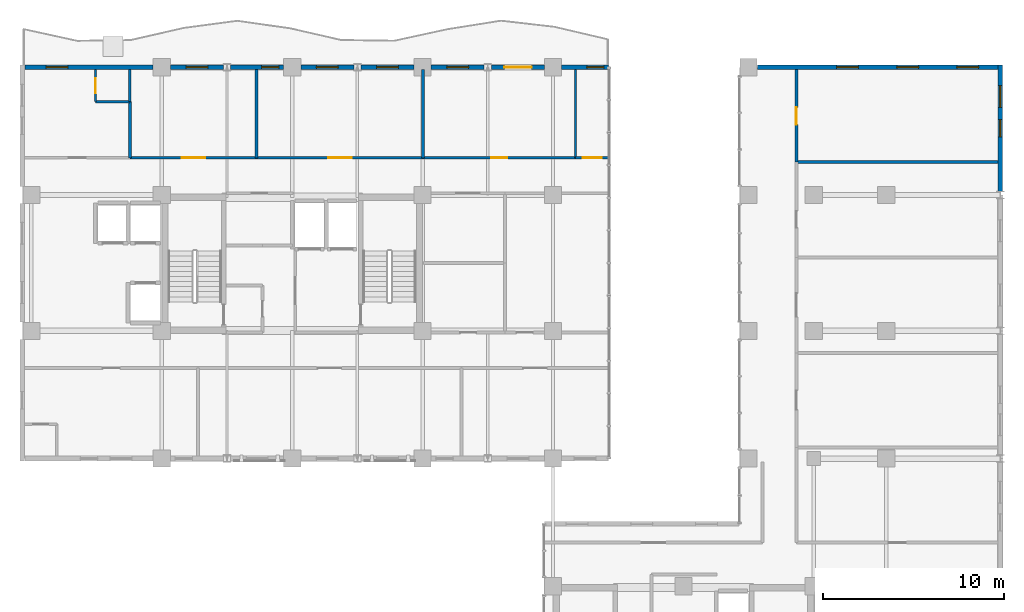
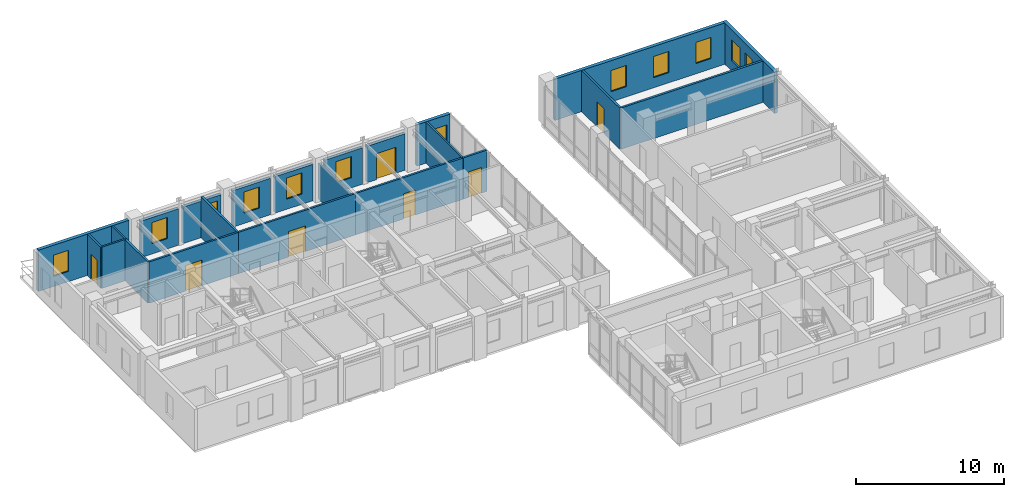
# One storey, part 20 of 24: 23 walls, 12 windows, 7 doors, 19 openings.
"""IFC4 building model written with IfcOpenShell, lengths in metres."""

from ifc_helpers import new_model, si_unit, direction, frame, frame_2d, origin, place, context, subcontext, project, spatial, rectangle, extrude, material, layer, layer_set, type_object, element, fill, save


model = new_model("IFC4")

# Units and contexts
model_context = context("Model", 3, precision=1e-05, world=origin(), true_north=direction((0.0, 1.0)))
body_context = subcontext(model_context, "Body", "Model", "MODEL_VIEW")
ifc_project = project(units=[si_unit("LENGTHUNIT", "METRE"), si_unit("AREAUNIT", "SQUARE_METRE"), si_unit("VOLUMEUNIT", "CUBIC_METRE"), si_unit("PLANEANGLEUNIT", "RADIAN"), si_unit("MASSUNIT", "GRAM", prefix="KILO")], contexts=[model_context])

# Site, building, storey
site_placement = place(None, origin())
site = spatial("IfcSite", under=ifc_project, at=site_placement, CompositionType="ELEMENT")
building_placement = place(site_placement, origin())
building = spatial("IfcBuilding", under=site, at=building_placement, Name="Kaliganga Portal Commons", CompositionType="ELEMENT")
storey_placement = place(building_placement, frame((0.0, 0.0, 235.10009765625)))
storey = spatial("IfcBuildingStorey", under=building, at=storey_placement, Name="L60", CompositionType="ELEMENT", Elevation=235.10009765625)

# Wall, opening, window
ifc_material_1 = material(Name="Insulated Aluminium-Clad Spandrel Assembly", Category="aluminium")
ifc_layer_1 = layer(ifc_material_1, 0.260009765625)
ifc_layer_set_1 = layer_set([ifc_layer_1], Name="Insulated Aluminium-Clad Spandrel Assembly")
wall_type_1 = type_object("IfcWallType", Name="WL-EXT-SPAND-260", PredefinedType="STANDARD", material=ifc_layer_set_1)
wall_1_placement = place(storey_placement, frame((36.47607421875, 43.199951171875, 0.0), z_axis=(0.0, 0.0, 1.0), x_axis=(1.0, 0.0, 0.0)))
wall_1 = element("IfcWall", 1, at=wall_1_placement, inside=storey, type_object=wall_type_1, Name="Exterior Envelope Wall L60 P1-E02-S1", PredefinedType="STANDARD", context=body_context, shape_type="SweptSolid", body=[
    extrude(rectangle(XDim=2.5869140625, YDim=0.260009765625, at=frame_2d((1.29345703125, 0.0))), origin(), (0.0, 0.0, 1.0), 3.419921875),
])
opening_1_placement = place(wall_1_placement, frame((1.3876953125, 0.0, 0.85009765625)))
opening_1 = element("IfcOpeningElement", 2, at=opening_1_placement, cuts=wall_1, Name="Opening W-04", PredefinedType="OPENING", context=body_context, shape_type="SweptSolid", body=[
    extrude(rectangle(XDim=0.949951171875, YDim=1.75, at=frame_2d((0.47509765625, 0.875))), frame((0.0, 0.14013671875, 0.0), z_axis=(0.0, -1.0, 0.0), x_axis=(1.0, 0.0, 0.0)), (0.0, 0.0, 1.0), 0.280029296875),
])
ifc_material_2 = material(Name="Thermally Broken Aluminium and Low-E Double Glazing", Category="aluminium")
window_type_1 = type_object("IfcWindowType", Name="WIN-NARROW-950", PartitioningType="SINGLE_PANEL", PredefinedType="WINDOW", material=ifc_material_2)
window_1_placement = place(opening_1_placement, origin())
window_1 = element("IfcWindow", 3, at=window_1_placement, inside=storey, type_object=window_type_1, Name="Facade Window L60-P1E02S1-N4", OverallHeight=1.75, OverallWidth=0.949951171875, PartitioningType="SINGLE_PANEL", PredefinedType="WINDOW", context=body_context, shape_type="SweptSolid", body=[
    extrude(rectangle(XDim=0.949951171875, YDim=1.75, at=frame_2d((0.47509765625, 0.875))), frame((0.0, 0.030029296875, 0.0), z_axis=(0.0, -1.0, 0.0), x_axis=(1.0, 0.0, 0.0)), (0.0, 0.0, 1.0), 0.06005859375),
])
fill(opening_1, window_1)

# Wall, opening, door
wall_2_placement = place(storey_placement, frame((32.6005859375, 43.199951171875, 0.0), z_axis=(0.0, 0.0, 1.0), x_axis=(1.0, 0.0, 0.0)))
wall_2 = element("IfcWall", 4, at=wall_2_placement, inside=storey, type_object=wall_type_1, Name="Exterior Envelope Wall L60 P1-E02-S2", PredefinedType="STANDARD", context=body_context, shape_type="SweptSolid", body=[
    extrude(rectangle(XDim=2.92333984375, YDim=0.260009765625, at=frame_2d((1.461669921875, 0.0))), origin(), (0.0, 0.0, 1.0), 3.02001953125),
])
opening_2_placement = place(wall_2_placement, frame((0.7119140625, 0.0, 0.0)))
opening_2 = element("IfcOpeningElement", 5, at=opening_2_placement, cuts=wall_2, Name="Opening BD-01", PredefinedType="OPENING", context=body_context, shape_type="SweptSolid", body=[
    extrude(rectangle(XDim=1.5, YDim=2.14990234375, at=frame_2d((0.75, 1.074951171875))), frame((0.0, 0.14013671875, 0.0), z_axis=(0.0, -1.0, 0.0), x_axis=(1.0, 0.0, 0.0)), (0.0, 0.0, 1.0), 0.280029296875),
])
ifc_material_3 = material(Name="Anodized Aluminium and Laminated Safety Glass", Category="aluminium")
door_type_1 = type_object("IfcDoorType", Name="DR-BALC-1500", OperationType="SLIDING_TO_LEFT", PredefinedType="DOOR", material=ifc_material_3)
door_1_placement = place(opening_2_placement, origin())
door_1 = element("IfcDoor", 6, at=door_1_placement, inside=storey, type_object=door_type_1, Name="Balcony Sliding Door L60 balc_north", OperationType="SLIDING_TO_LEFT", OverallHeight=2.14990234375, OverallWidth=1.5, PredefinedType="DOOR", context=body_context, shape_type="SweptSolid", body=[
    extrude(rectangle(XDim=1.5, YDim=2.14990234375, at=frame_2d((0.75, 1.074951171875))), frame((0.0, 0.02490234375, 0.0), z_axis=(0.0, -1.0, 0.0), x_axis=(1.0, 0.0, 0.0)), (0.0, 0.0, 1.0), 0.050048828125),
])
fill(opening_2, door_1)

# Wall, opening, window
wall_3_placement = place(storey_placement, frame((29.27587890625, 43.199951171875, 0.0), z_axis=(0.0, 0.0, 1.0), x_axis=(1.0, 0.0, 0.0)))
wall_3 = element("IfcWall", 7, at=wall_3_placement, inside=storey, type_object=wall_type_1, Name="Exterior Envelope Wall L60 P1-E02-S3", PredefinedType="STANDARD", context=body_context, shape_type="SweptSolid", body=[
    extrude(rectangle(XDim=2.923583984375, YDim=0.260009765625, at=frame_2d((1.4619140625, 0.0))), origin(), (0.0, 0.0, 1.0), 3.02001953125),
])
opening_3_placement = place(wall_3_placement, frame((0.86181640625, 0.0, 0.85009765625)))
opening_3 = element("IfcOpeningElement", 8, at=opening_3_placement, cuts=wall_3, Name="Opening W-03", PredefinedType="OPENING", context=body_context, shape_type="SweptSolid", body=[
    extrude(rectangle(XDim=1.199951171875, YDim=1.75, at=frame_2d((0.60009765625, 0.875))), frame((0.0, 0.14013671875, 0.0), z_axis=(0.0, -1.0, 0.0), x_axis=(1.0, 0.0, 0.0)), (0.0, 0.0, 1.0), 0.280029296875),
])
window_type_2 = type_object("IfcWindowType", Name="WIN-STD-1200", PartitioningType="SINGLE_PANEL", PredefinedType="WINDOW", material=ifc_material_2)
window_2_placement = place(opening_3_placement, origin())
window_2 = element("IfcWindow", 9, at=window_2_placement, inside=storey, type_object=window_type_2, Name="Facade Window L60-P1E02S3-00", OverallHeight=1.75, OverallWidth=1.199951171875, PartitioningType="SINGLE_PANEL", PredefinedType="WINDOW", context=body_context, shape_type="SweptSolid", body=[
    extrude(rectangle(XDim=1.199951171875, YDim=1.75, at=frame_2d((0.60009765625, 0.875))), frame((0.0, 0.030029296875, 0.0), z_axis=(0.0, -1.0, 0.0), x_axis=(1.0, 0.0, 0.0)), (0.0, 0.0, 1.0), 0.06005859375),
])
fill(opening_3, window_2)

wall_4_placement = place(storey_placement, frame((25.400390625, 43.199951171875, 0.0), z_axis=(0.0, 0.0, 1.0), x_axis=(1.0, 0.0, 0.0)))
wall_4 = element("IfcWall", 10, at=wall_4_placement, inside=storey, type_object=wall_type_1, Name="Exterior Envelope Wall L60 P1-E02-S4", PredefinedType="STANDARD", context=body_context, shape_type="SweptSolid", body=[
    extrude(rectangle(XDim=2.923583984375, YDim=0.260009765625, at=frame_2d((1.4619140625, 0.0))), origin(), (0.0, 0.0, 1.0), 3.02001953125),
])
opening_4_placement = place(wall_4_placement, frame((0.86181640625, 0.0, 0.85009765625)))
opening_4 = element("IfcOpeningElement", 11, at=opening_4_placement, cuts=wall_4, Name="Opening W-03", PredefinedType="OPENING", context=body_context, shape_type="SweptSolid", body=[
    extrude(rectangle(XDim=1.199951171875, YDim=1.75, at=frame_2d((0.60009765625, 0.875))), frame((0.0, 0.14013671875, 0.0), z_axis=(0.0, -1.0, 0.0), x_axis=(1.0, 0.0, 0.0)), (0.0, 0.0, 1.0), 0.280029296875),
])
window_3_placement = place(opening_4_placement, origin())
window_3 = element("IfcWindow", 12, at=window_3_placement, inside=storey, type_object=window_type_2, Name="Facade Window L60-P1E02S4-00", OverallHeight=1.75, OverallWidth=1.199951171875, PartitioningType="SINGLE_PANEL", PredefinedType="WINDOW", context=body_context, shape_type="SweptSolid", body=[
    extrude(rectangle(XDim=1.199951171875, YDim=1.75, at=frame_2d((0.60009765625, 0.875))), frame((0.0, 0.030029296875, 0.0), z_axis=(0.0, -1.0, 0.0), x_axis=(1.0, 0.0, 0.0)), (0.0, 0.0, 1.0), 0.06005859375),
])
fill(opening_4, window_3)

wall_5_placement = place(storey_placement, frame((22.075927734375, 43.199951171875, 0.0), z_axis=(0.0, 0.0, 1.0), x_axis=(1.0, 0.0, 0.0)))
wall_5 = element("IfcWall", 13, at=wall_5_placement, inside=storey, type_object=wall_type_1, Name="Exterior Envelope Wall L60 P1-E02-S5", PredefinedType="STANDARD", context=body_context, shape_type="SweptSolid", body=[
    extrude(rectangle(XDim=2.923583984375, YDim=0.260009765625, at=frame_2d((1.4619140625, 0.0))), origin(), (0.0, 0.0, 1.0), 3.02001953125),
])
opening_5_placement = place(wall_5_placement, frame((0.86181640625, 0.0, 0.85009765625)))
opening_5 = element("IfcOpeningElement", 14, at=opening_5_placement, cuts=wall_5, Name="Opening W-03", PredefinedType="OPENING", context=body_context, shape_type="SweptSolid", body=[
    extrude(rectangle(XDim=1.199951171875, YDim=1.75, at=frame_2d((0.60009765625, 0.875))), frame((0.0, 0.14013671875, 0.0), z_axis=(0.0, -1.0, 0.0), x_axis=(1.0, 0.0, 0.0)), (0.0, 0.0, 1.0), 0.280029296875),
])
window_4_placement = place(opening_5_placement, origin())
window_4 = element("IfcWindow", 15, at=window_4_placement, inside=storey, type_object=window_type_2, Name="Facade Window L60-P1E02S5-00", OverallHeight=1.75, OverallWidth=1.199951171875, PartitioningType="SINGLE_PANEL", PredefinedType="WINDOW", context=body_context, shape_type="SweptSolid", body=[
    extrude(rectangle(XDim=1.199951171875, YDim=1.75, at=frame_2d((0.60009765625, 0.875))), frame((0.0, 0.030029296875, 0.0), z_axis=(0.0, -1.0, 0.0), x_axis=(1.0, 0.0, 0.0)), (0.0, 0.0, 1.0), 0.06005859375),
])
fill(opening_5, window_4)

wall_6_placement = place(storey_placement, frame((18.200439453125, 43.199951171875, 0.0), z_axis=(0.0, 0.0, 1.0), x_axis=(1.0, 0.0, 0.0)))
wall_6 = element("IfcWall", 16, at=wall_6_placement, inside=storey, type_object=wall_type_1, Name="Exterior Envelope Wall L60 P1-E02-S6", PredefinedType="STANDARD", context=body_context, shape_type="SweptSolid", body=[
    extrude(rectangle(XDim=2.923583984375, YDim=0.260009765625, at=frame_2d((1.4619140625, 0.0))), origin(), (0.0, 0.0, 1.0), 3.02001953125),
])
opening_6_placement = place(wall_6_placement, frame((1.7119140625, 0.0, 0.85009765625)))
opening_6 = element("IfcOpeningElement", 17, at=opening_6_placement, cuts=wall_6, Name="Opening W-04", PredefinedType="OPENING", context=body_context, shape_type="SweptSolid", body=[
    extrude(rectangle(XDim=0.949951171875, YDim=1.75, at=frame_2d((0.47509765625, 0.875))), frame((0.0, 0.14013671875, 0.0), z_axis=(0.0, -1.0, 0.0), x_axis=(1.0, 0.0, 0.0)), (0.0, 0.0, 1.0), 0.280029296875),
])
window_5_placement = place(opening_6_placement, origin())
window_5 = element("IfcWindow", 18, at=window_5_placement, inside=storey, type_object=window_type_1, Name="Facade Window L60-P1E02S6-N2", OverallHeight=1.75, OverallWidth=0.949951171875, PartitioningType="SINGLE_PANEL", PredefinedType="WINDOW", context=body_context, shape_type="SweptSolid", body=[
    extrude(rectangle(XDim=0.949951171875, YDim=1.75, at=frame_2d((0.47509765625, 0.875))), frame((0.0, 0.030029296875, 0.0), z_axis=(0.0, -1.0, 0.0), x_axis=(1.0, 0.0, 0.0)), (0.0, 0.0, 1.0), 0.06005859375),
])
fill(opening_6, window_5)

wall_7_placement = place(storey_placement, frame((14.8759765625, 43.199951171875, 0.0), z_axis=(0.0, 0.0, 1.0), x_axis=(1.0, 0.0, 0.0)))
wall_7 = element("IfcWall", 19, at=wall_7_placement, inside=storey, type_object=wall_type_1, Name="Exterior Envelope Wall L60 P1-E02-S7", PredefinedType="STANDARD", context=body_context, shape_type="SweptSolid", body=[
    extrude(rectangle(XDim=2.923583984375, YDim=0.260009765625, at=frame_2d((1.4619140625, 0.0))), origin(), (0.0, 0.0, 1.0), 3.02001953125),
])
opening_7_placement = place(wall_7_placement, frame((0.86181640625, 0.0, 0.85009765625)))
opening_7 = element("IfcOpeningElement", 20, at=opening_7_placement, cuts=wall_7, Name="Opening W-03", PredefinedType="OPENING", context=body_context, shape_type="SweptSolid", body=[
    extrude(rectangle(XDim=1.199951171875, YDim=1.75, at=frame_2d((0.60009765625, 0.875))), frame((0.0, 0.14013671875, 0.0), z_axis=(0.0, -1.0, 0.0), x_axis=(1.0, 0.0, 0.0)), (0.0, 0.0, 1.0), 0.280029296875),
])
window_6_placement = place(opening_7_placement, origin())
window_6 = element("IfcWindow", 21, at=window_6_placement, inside=storey, type_object=window_type_2, Name="Facade Window L60-P1E02S7-00", OverallHeight=1.75, OverallWidth=1.199951171875, PartitioningType="SINGLE_PANEL", PredefinedType="WINDOW", context=body_context, shape_type="SweptSolid", body=[
    extrude(rectangle(XDim=1.199951171875, YDim=1.75, at=frame_2d((0.60009765625, 0.875))), frame((0.0, 0.030029296875, 0.0), z_axis=(0.0, -1.0, 0.0), x_axis=(1.0, 0.0, 0.0)), (0.0, 0.0, 1.0), 0.06005859375),
])
fill(opening_7, window_6)

wall_8_placement = place(storey_placement, frame((6.8349609375, 43.199951171875, 0.0), z_axis=(0.0, 0.0, 1.0), x_axis=(1.0, 0.0, 0.0)))
wall_8 = element("IfcWall", 22, at=wall_8_placement, inside=storey, type_object=wall_type_1, Name="Exterior Envelope Wall L60 P1-E02-S8", PredefinedType="STANDARD", context=body_context, shape_type="SweptSolid", body=[
    extrude(rectangle(XDim=7.089111328125, YDim=0.260009765625, at=frame_2d((3.54443359375, 0.0))), origin(), (0.0, 0.0, 1.0), 3.419921875),
])
opening_8_placement = place(wall_8_placement, frame((1.17236328125, 0.0, 0.85009765625)))
opening_8 = element("IfcOpeningElement", 23, at=opening_8_placement, cuts=wall_8, Name="Opening W-03", PredefinedType="OPENING", context=body_context, shape_type="SweptSolid", body=[
    extrude(rectangle(XDim=1.199951171875, YDim=1.75, at=frame_2d((0.60009765625, 0.875))), frame((0.0, 0.14013671875, 0.0), z_axis=(0.0, -1.0, 0.0), x_axis=(1.0, 0.0, 0.0)), (0.0, 0.0, 1.0), 0.280029296875),
])
window_7_placement = place(opening_8_placement, origin())
window_7 = element("IfcWindow", 24, at=window_7_placement, inside=storey, type_object=window_type_2, Name="Facade Window L60-P1E02S8-00", OverallHeight=1.75, OverallWidth=1.199951171875, PartitioningType="SINGLE_PANEL", PredefinedType="WINDOW", context=body_context, shape_type="SweptSolid", body=[
    extrude(rectangle(XDim=1.199951171875, YDim=1.75, at=frame_2d((0.60009765625, 0.875))), frame((0.0, 0.030029296875, 0.0), z_axis=(0.0, -1.0, 0.0), x_axis=(1.0, 0.0, 0.0)), (0.0, 0.0, 1.0), 0.06005859375),
])
fill(opening_8, window_7)

# Wall, openings, windows
wall_9_placement = place(storey_placement, frame((60.699951171875, 43.330078125, 0.0), z_axis=(0.0, 0.0, 1.0), x_axis=(0.0, -1.0, 0.0)))
wall_9 = element("IfcWall", 25, at=wall_9_placement, inside=storey, type_object=wall_type_1, Name="Exterior Envelope Wall L60 P2-E01-S6", PredefinedType="STANDARD", context=body_context, shape_type="SweptSolid", body=[
    extrude(rectangle(XDim=6.97900390625, YDim=0.260009765625, at=frame_2d((3.489501953125, 0.0))), origin(), (0.0, 0.0, 1.0), 3.419921875),
])
opening_9_placement = place(wall_9_placement, frame((1.144775390625, 0.0, 0.85009765625)))
opening_9 = element("IfcOpeningElement", 26, at=opening_9_placement, cuts=wall_9, Name="Opening W-03", PredefinedType="OPENING", context=body_context, shape_type="SweptSolid", body=[
    extrude(rectangle(XDim=1.199951171875, YDim=1.75, at=frame_2d((0.60009765625, 0.875))), frame((0.0, 0.14013671875, 0.0), z_axis=(0.0, -1.0, 0.0), x_axis=(1.0, 0.0, 0.0)), (0.0, 0.0, 1.0), 0.280029296875),
])
opening_10_placement = place(wall_9_placement, frame((3.014404296875, 0.0, 0.85009765625)))
opening_10 = element("IfcOpeningElement", 27, at=opening_10_placement, cuts=wall_9, Name="Opening W-04", PredefinedType="OPENING", context=body_context, shape_type="SweptSolid", body=[
    extrude(rectangle(XDim=0.949951171875, YDim=1.75, at=frame_2d((0.47509765625, 0.875))), frame((0.0, 0.14013671875, 0.0), z_axis=(0.0, -1.0, 0.0), x_axis=(1.0, 0.0, 0.0)), (0.0, 0.0, 1.0), 0.280029296875),
])
window_8_placement = place(opening_10_placement, origin())
window_8 = element("IfcWindow", 28, at=window_8_placement, inside=storey, type_object=window_type_1, Name="Facade Window L60-P2E01S6-N0", OverallHeight=1.75, OverallWidth=0.949951171875, PartitioningType="SINGLE_PANEL", PredefinedType="WINDOW", context=body_context, shape_type="SweptSolid", body=[
    extrude(rectangle(XDim=0.949951171875, YDim=1.75, at=frame_2d((0.47509765625, 0.875))), frame((0.0, 0.030029296875, 0.0), z_axis=(0.0, -1.0, 0.0), x_axis=(1.0, 0.0, 0.0)), (0.0, 0.0, 1.0), 0.06005859375),
])
fill(opening_10, window_8)
window_9_placement = place(opening_9_placement, origin())
window_9 = element("IfcWindow", 29, at=window_9_placement, inside=storey, type_object=window_type_2, Name="Facade Window L60-P2E01S6-00", OverallHeight=1.75, OverallWidth=1.199951171875, PartitioningType="SINGLE_PANEL", PredefinedType="WINDOW", context=body_context, shape_type="SweptSolid", body=[
    extrude(rectangle(XDim=1.199951171875, YDim=1.75, at=frame_2d((0.60009765625, 0.875))), frame((0.0, 0.030029296875, 0.0), z_axis=(0.0, -1.0, 0.0), x_axis=(1.0, 0.0, 0.0)), (0.0, 0.0, 1.0), 0.06005859375),
])
fill(opening_9, window_9)

wall_10_placement = place(storey_placement, frame((47.27587890625, 43.199951171875, 0.0), z_axis=(0.0, 0.0, 1.0), x_axis=(1.0, 0.0, 0.0)))
wall_10 = element("IfcWall", 30, at=wall_10_placement, inside=storey, type_object=wall_type_1, Name="Exterior Envelope Wall L60 P2-E02-S1", PredefinedType="STANDARD", context=body_context, shape_type="SweptSolid", body=[
    extrude(rectangle(XDim=13.2890625, YDim=0.260009765625, at=frame_2d((6.64453125, 0.0))), origin(), (0.0, 0.0, 1.0), 3.419921875),
])
opening_11_placement = place(wall_10_placement, frame((4.38330078125, 0.0, 0.85009765625)))
opening_11 = element("IfcOpeningElement", 31, at=opening_11_placement, cuts=wall_10, Name="Opening W-03", PredefinedType="OPENING", context=body_context, shape_type="SweptSolid", body=[
    extrude(rectangle(XDim=1.199951171875, YDim=1.75, at=frame_2d((0.60009765625, 0.875))), frame((0.0, 0.14013671875, 0.0), z_axis=(0.0, -1.0, 0.0), x_axis=(1.0, 0.0, 0.0)), (0.0, 0.0, 1.0), 0.280029296875),
])
opening_12_placement = place(wall_10_placement, frame((7.70556640625, 0.0, 0.85009765625)))
opening_12 = element("IfcOpeningElement", 32, at=opening_12_placement, cuts=wall_10, Name="Opening W-03", PredefinedType="OPENING", context=body_context, shape_type="SweptSolid", body=[
    extrude(rectangle(XDim=1.199951171875, YDim=1.75, at=frame_2d((0.60009765625, 0.875))), frame((0.0, 0.14013671875, 0.0), z_axis=(0.0, -1.0, 0.0), x_axis=(1.0, 0.0, 0.0)), (0.0, 0.0, 1.0), 0.280029296875),
])
opening_13_placement = place(wall_10_placement, frame((11.02783203125, 0.0, 0.85009765625)))
opening_13 = element("IfcOpeningElement", 33, at=opening_13_placement, cuts=wall_10, Name="Opening W-03", PredefinedType="OPENING", context=body_context, shape_type="SweptSolid", body=[
    extrude(rectangle(XDim=1.199951171875, YDim=1.75, at=frame_2d((0.60009765625, 0.875))), frame((0.0, 0.14013671875, 0.0), z_axis=(0.0, -1.0, 0.0), x_axis=(1.0, 0.0, 0.0)), (0.0, 0.0, 1.0), 0.280029296875),
])
window_10_placement = place(opening_11_placement, origin())
window_10 = element("IfcWindow", 34, at=window_10_placement, inside=storey, type_object=window_type_2, Name="Facade Window L60-P2E02S1-01", OverallHeight=1.75, OverallWidth=1.199951171875, PartitioningType="SINGLE_PANEL", PredefinedType="WINDOW", context=body_context, shape_type="SweptSolid", body=[
    extrude(rectangle(XDim=1.199951171875, YDim=1.75, at=frame_2d((0.60009765625, 0.875))), frame((0.0, 0.030029296875, 0.0), z_axis=(0.0, -1.0, 0.0), x_axis=(1.0, 0.0, 0.0)), (0.0, 0.0, 1.0), 0.06005859375),
])
fill(opening_11, window_10)
window_11_placement = place(opening_12_placement, origin())
window_11 = element("IfcWindow", 35, at=window_11_placement, inside=storey, type_object=window_type_2, Name="Facade Window L60-P2E02S1-02", OverallHeight=1.75, OverallWidth=1.199951171875, PartitioningType="SINGLE_PANEL", PredefinedType="WINDOW", context=body_context, shape_type="SweptSolid", body=[
    extrude(rectangle(XDim=1.199951171875, YDim=1.75, at=frame_2d((0.60009765625, 0.875))), frame((0.0, 0.030029296875, 0.0), z_axis=(0.0, -1.0, 0.0), x_axis=(1.0, 0.0, 0.0)), (0.0, 0.0, 1.0), 0.06005859375),
])
fill(opening_12, window_11)
window_12_placement = place(opening_13_placement, origin())
window_12 = element("IfcWindow", 36, at=window_12_placement, inside=storey, type_object=window_type_2, Name="Facade Window L60-P2E02S1-03", OverallHeight=1.75, OverallWidth=1.199951171875, PartitioningType="SINGLE_PANEL", PredefinedType="WINDOW", context=body_context, shape_type="SweptSolid", body=[
    extrude(rectangle(XDim=1.199951171875, YDim=1.75, at=frame_2d((0.60009765625, 0.875))), frame((0.0, 0.030029296875, 0.0), z_axis=(0.0, -1.0, 0.0), x_axis=(1.0, 0.0, 0.0)), (0.0, 0.0, 1.0), 0.06005859375),
])
fill(opening_13, window_12)

# Wall, opening, door
ifc_material_4 = material(Name="Fire-Rated Gypsum Board on Steel Stud", Category="steel")
ifc_layer_2 = layer(ifc_material_4, 0.14990234375)
ifc_layer_set_2 = layer_set([ifc_layer_2], Name="Fire-Rated Gypsum Board on Steel Stud")
wall_type_2 = type_object("IfcWallType", Name="WL-PART-CORR-150", PredefinedType="PARTITIONING", material=ifc_layer_set_2)
wall_11_placement = place(storey_placement, frame((19.639892578125, 38.199951171875, 0.0), z_axis=(0.0, 0.0, 1.0), x_axis=(1.0, 0.0, 0.0)))
wall_11 = element("IfcWall", 37, at=wall_11_placement, inside=storey, type_object=wall_type_2, Name="Interior Partition L60-010", PredefinedType="PARTITIONING", context=body_context, shape_type="SweptSolid", body=[
    extrude(rectangle(XDim=9.18017578125, YDim=0.14990234375, at=frame_2d((4.590087890625, 0.0))), origin(), (0.0, 0.0, 1.0), 3.419921875),
])
opening_14_placement = place(wall_11_placement, frame((3.93994140625, 0.0, 0.0)))
opening_14 = element("IfcOpeningElement", 38, at=opening_14_placement, cuts=wall_11, Name="Opening RD-03", PredefinedType="OPENING", context=body_context, shape_type="SweptSolid", body=[
    extrude(rectangle(XDim=1.300048828125, YDim=2.1201171875, at=frame_2d((0.64990234375, 1.06005859375))), frame((0.0, 0.0849609375, 0.0), z_axis=(0.0, -1.0, 0.0), x_axis=(1.0, 0.0, 0.0)), (0.0, 0.0, 1.0), 0.169921875),
])
ifc_material_5 = material(Name="Glazed Timber Seminar Vision Door", Category="wood")
door_type_2 = type_object("IfcDoorType", Name="DR-STUDY-1300", OperationType="DOUBLE_DOOR_SINGLE_SWING", PredefinedType="DOOR", material=ifc_material_5)
door_2_placement = place(opening_14_placement, origin())
door_2 = element("IfcDoor", 39, at=door_2_placement, inside=storey, type_object=door_type_2, Name="Interior Door L60-AN03", OperationType="DOUBLE_DOOR_SINGLE_SWING", OverallHeight=2.1201171875, OverallWidth=1.300048828125, PredefinedType="DOOR", context=body_context, shape_type="SweptSolid", body=[
    extrude(rectangle(XDim=1.300048828125, YDim=2.1201171875, at=frame_2d((0.64990234375, 1.06005859375))), frame((0.0, 0.02490234375, 0.0), z_axis=(0.0, -1.0, 0.0), x_axis=(1.0, 0.0, 0.0)), (0.0, 0.0, 1.0), 0.050048828125),
])
fill(opening_14, door_2)

wall_12_placement = place(storey_placement, frame((28.820068359375, 38.199951171875, 0.0), z_axis=(0.0, 0.0, 1.0), x_axis=(1.0, 0.0, 0.0)))
wall_12 = element("IfcWall", 40, at=wall_12_placement, inside=storey, type_object=wall_type_2, Name="Interior Partition L60-011", PredefinedType="PARTITIONING", context=body_context, shape_type="SweptSolid", body=[
    extrude(rectangle(XDim=8.419921875, YDim=0.14990234375, at=frame_2d((4.2099609375, 0.0))), origin(), (0.0, 0.0, 1.0), 3.419921875),
])
opening_15_placement = place(wall_12_placement, frame((3.760009765625, 0.0, 0.0)))
opening_15 = element("IfcOpeningElement", 41, at=opening_15_placement, cuts=wall_12, Name="Opening RD-01", PredefinedType="OPENING", context=body_context, shape_type="SweptSolid", body=[
    extrude(rectangle(XDim=0.89990234375, YDim=2.080078125, at=frame_2d((0.449951171875, 1.0400390625))), frame((0.0, 0.0849609375, 0.0), z_axis=(0.0, -1.0, 0.0), x_axis=(1.0, 0.0, 0.0)), (0.0, 0.0, 1.0), 0.169921875),
])
ifc_material_6 = material(Name="Engineered Timber Flush Door", Category="wood")
door_type_3 = type_object("IfcDoorType", Name="DR-ROOM-900", OperationType="NOTDEFINED", PredefinedType="DOOR", material=ifc_material_6)
door_3_placement = place(opening_15_placement, origin())
door_3 = element("IfcDoor", 42, at=door_3_placement, inside=storey, type_object=door_type_3, Name="Interior Door L60-AN04", OperationType="SINGLE_SWING_RIGHT", OverallHeight=2.080078125, OverallWidth=0.89990234375, PredefinedType="DOOR", context=body_context, shape_type="SweptSolid", body=[
    extrude(rectangle(XDim=0.89990234375, YDim=2.080078125, at=frame_2d((0.449951171875, 1.0400390625))), frame((0.0, 0.02490234375, 0.0), z_axis=(0.0, -1.0, 0.0), x_axis=(1.0, 0.0, 0.0)), (0.0, 0.0, 1.0), 0.050048828125),
])
fill(opening_15, door_3)

wall_13_placement = place(storey_placement, frame((12.639892578125, 38.199951171875, 0.0), z_axis=(0.0, 0.0, 1.0), x_axis=(1.0, 0.0, 0.0)))
wall_13 = element("IfcWall", 43, at=wall_13_placement, inside=storey, type_object=wall_type_2, Name="Interior Partition L60-013", PredefinedType="PARTITIONING", context=body_context, shape_type="SweptSolid", body=[
    extrude(rectangle(XDim=7.0, YDim=0.14990234375, at=frame_2d((3.5, 0.0))), origin(), (0.0, 0.0, 1.0), 3.419921875),
])
opening_16_placement = place(wall_13_placement, frame((2.85009765625, 0.0, 0.0)))
opening_16 = element("IfcOpeningElement", 44, at=opening_16_placement, cuts=wall_13, Name="Opening RD-03", PredefinedType="OPENING", context=body_context, shape_type="SweptSolid", body=[
    extrude(rectangle(XDim=1.300048828125, YDim=2.1201171875, at=frame_2d((0.64990234375, 1.06005859375))), frame((0.0, 0.0849609375, 0.0), z_axis=(0.0, -1.0, 0.0), x_axis=(1.0, 0.0, 0.0)), (0.0, 0.0, 1.0), 0.169921875),
])
door_4_placement = place(opening_16_placement, origin())
door_4 = element("IfcDoor", 45, at=door_4_placement, inside=storey, type_object=door_type_2, Name="Interior Door L60-AN02", OperationType="DOUBLE_DOOR_SINGLE_SWING", OverallHeight=2.1201171875, OverallWidth=1.300048828125, PredefinedType="DOOR", context=body_context, shape_type="SweptSolid", body=[
    extrude(rectangle(XDim=1.300048828125, YDim=2.1201171875, at=frame_2d((0.64990234375, 1.06005859375))), frame((0.0, 0.02490234375, 0.0), z_axis=(0.0, -1.0, 0.0), x_axis=(1.0, 0.0, 0.0)), (0.0, 0.0, 1.0), 0.050048828125),
])
fill(opening_16, door_4)

wall_14_placement = place(storey_placement, frame((49.43994140625, 37.9599609375, 0.0), z_axis=(0.0, 0.0, 1.0), x_axis=(0.0, 1.0, 0.0)))
wall_14 = element("IfcWall", 46, at=wall_14_placement, inside=storey, type_object=wall_type_2, Name="Interior Partition L60-022", PredefinedType="PARTITIONING", context=body_context, shape_type="SweptSolid", body=[
    extrude(rectangle(XDim=5.108154296875, YDim=0.14990234375, at=frame_2d((2.55419921875, 0.0))), origin(), (0.0, 0.0, 1.0), 3.419921875),
])
opening_17_placement = place(wall_14_placement, frame((2.0791015625, 0.0, 0.0)))
opening_17 = element("IfcOpeningElement", 47, at=opening_17_placement, cuts=wall_14, Name="Opening UD-01", PredefinedType="OPENING", context=body_context, shape_type="SweptSolid", body=[
    extrude(rectangle(XDim=0.949951171875, YDim=2.10009765625, at=frame_2d((0.47509765625, 1.050048828125))), frame((0.0, 0.0849609375, 0.0), z_axis=(0.0, -1.0, 0.0), x_axis=(1.0, 0.0, 0.0)), (0.0, 0.0, 1.0), 0.169921875),
])
ifc_material_7 = material(Name="Solid-Core Timber Acoustic Fire Door", Category="wood")
door_type_4 = type_object("IfcDoorType", Name="DR-UNIT-950", OperationType="NOTDEFINED", PredefinedType="DOOR", material=ifc_material_7)
door_5_placement = place(opening_17_placement, origin())
door_5 = element("IfcDoor", 48, at=door_5_placement, inside=storey, type_object=door_type_4, Name="Interior Door L60-BP05", OperationType="SINGLE_SWING_RIGHT", OverallHeight=2.10009765625, OverallWidth=0.949951171875, PredefinedType="DOOR", context=body_context, shape_type="SweptSolid", body=[
    extrude(rectangle(XDim=0.949951171875, YDim=2.10009765625, at=frame_2d((0.47509765625, 1.050048828125))), frame((0.0, 0.02490234375, 0.0), z_axis=(0.0, -1.0, 0.0), x_axis=(1.0, 0.0, 0.0)), (0.0, 0.0, 1.0), 0.050048828125),
])
fill(opening_17, door_5)

wall_15_placement = place(storey_placement, frame((37.239990234375, 38.199951171875, 0.0), z_axis=(0.0, 0.0, 1.0), x_axis=(1.0, 0.0, 0.0)))
wall_15 = element("IfcWall", 49, at=wall_15_placement, inside=storey, type_object=wall_type_2, Name="Interior Partition L60-038", PredefinedType="PARTITIONING", context=body_context, shape_type="SweptSolid", body=[
    extrude(rectangle(XDim=1.840087890625, YDim=0.14990234375, at=frame_2d((0.919921875, 0.0))), origin(), (0.0, 0.0, 1.0), 3.419921875),
])
opening_18_placement = place(wall_15_placement, frame((0.39501953125, 0.0, 0.0)))
opening_18 = element("IfcOpeningElement", 50, at=opening_18_placement, cuts=wall_15, Name="Opening UD-02", PredefinedType="OPENING", context=body_context, shape_type="SweptSolid", body=[
    extrude(rectangle(XDim=1.050048828125, YDim=2.1201171875, at=frame_2d((0.52490234375, 1.06005859375))), frame((0.0, 0.0849609375, 0.0), z_axis=(0.0, -1.0, 0.0), x_axis=(1.0, 0.0, 0.0)), (0.0, 0.0, 1.0), 0.169921875),
])
ifc_material_8 = material(Name="Accessible Wide-Leaf Acoustic Fire Door", Category="wood")
door_type_5 = type_object("IfcDoorType", Name="DR-ACC-1050", OperationType="NOTDEFINED", PredefinedType="DOOR", material=ifc_material_8)
door_6_placement = place(opening_18_placement, origin())
door_6 = element("IfcDoor", 51, at=door_6_placement, inside=storey, type_object=door_type_5, Name="Interior Door L60-AN05", OperationType="SINGLE_SWING_LEFT", OverallHeight=2.1201171875, OverallWidth=1.050048828125, PredefinedType="DOOR", context=body_context, shape_type="SweptSolid", body=[
    extrude(rectangle(XDim=1.050048828125, YDim=2.1201171875, at=frame_2d((0.52490234375, 1.06005859375))), frame((0.0, 0.02490234375, 0.0), z_axis=(0.0, -1.0, 0.0), x_axis=(1.0, 0.0, 0.0)), (0.0, 0.0, 1.0), 0.050048828125),
])
fill(opening_18, door_6)

# Walls
ifc_material_9 = material(Name="Twin-Stud Acoustic Gypsum Partition", Category="gypsum")
ifc_layer_3 = layer(ifc_material_9, 0.1650390625)
ifc_layer_set_3 = layer_set([ifc_layer_3], Name="Twin-Stud Acoustic Gypsum Partition")
wall_type_3 = type_object("IfcWallType", Name="WL-PART-UNIT-165", PredefinedType="PARTITIONING", material=ifc_layer_set_3)
wall_16_placement = place(storey_placement, frame((49.43994140625, 37.9599609375, 0.0), z_axis=(0.0, 0.0, 1.0), x_axis=(1.0, 0.0, 0.0)))
element("IfcWall", 52, at=wall_16_placement, inside=storey, type_object=wall_type_3, Name="Interior Partition L60-043", PredefinedType="PARTITIONING", context=body_context, shape_type="SweptSolid", body=[
    extrude(rectangle(XDim=11.128173828125, YDim=0.1650390625, at=frame_2d((5.56396484375, 0.0))), origin(), (0.0, 0.0, 1.0), 3.419921875),
])
wall_17_placement = place(storey_placement, frame((19.639892578125, 38.199951171875, 0.0), z_axis=(0.0, 0.0, 1.0), x_axis=(0.0, 1.0, 0.0)))
element("IfcWall", 53, at=wall_17_placement, inside=storey, type_object=wall_type_3, Name="Interior Partition L60-045", PredefinedType="PARTITIONING", context=body_context, shape_type="SweptSolid", body=[
    extrude(rectangle(XDim=4.8681640625, YDim=0.1650390625, at=frame_2d((2.43408203125, 0.0))), origin(), (0.0, 0.0, 1.0), 3.419921875),
])
wall_18_placement = place(storey_placement, frame((28.820068359375, 38.199951171875, 0.0), z_axis=(0.0, 0.0, 1.0), x_axis=(0.0, 1.0, 0.0)))
element("IfcWall", 54, at=wall_18_placement, inside=storey, type_object=wall_type_3, Name="Interior Partition L60-046", PredefinedType="PARTITIONING", context=body_context, shape_type="SweptSolid", body=[
    extrude(rectangle(XDim=4.8681640625, YDim=0.1650390625, at=frame_2d((2.43408203125, 0.0))), origin(), (0.0, 0.0, 1.0), 2.969970703125),
])
wall_19_placement = place(storey_placement, frame((12.639892578125, 38.199951171875, 0.0), z_axis=(0.0, 0.0, 1.0), x_axis=(0.0, 1.0, 0.0)))
element("IfcWall", 55, at=wall_19_placement, inside=storey, type_object=wall_type_3, Name="Interior Partition L60-055", PredefinedType="PARTITIONING", context=body_context, shape_type="SweptSolid", body=[
    extrude(rectangle(XDim=3.10009765625, YDim=0.1650390625, at=frame_2d((1.550048828125, 0.0))), origin(), (0.0, 0.0, 1.0), 3.419921875),
])

# Wall, opening, door
ifc_material_10 = material(Name="Cement-Board Wet-Room Partition", Category="gypsum")
ifc_layer_4 = layer(ifc_material_10, 0.135009765625)
ifc_layer_set_4 = layer_set([ifc_layer_4], Name="Cement-Board Wet-Room Partition")
wall_type_4 = type_object("IfcWallType", Name="WL-PART-WET-135", PredefinedType="PARTITIONING", material=ifc_layer_set_4)
wall_20_placement = place(storey_placement, frame((10.739990234375, 41.300048828125, 0.0), z_axis=(0.0, 0.0, 1.0), x_axis=(0.0, 1.0, 0.0)))
wall_20 = element("IfcWall", 56, at=wall_20_placement, inside=storey, type_object=wall_type_4, Name="Interior Partition L60-001", PredefinedType="PARTITIONING", context=body_context, shape_type="SweptSolid", body=[
    extrude(rectangle(XDim=1.76806640625, YDim=0.135009765625, at=frame_2d((0.884033203125, 0.0))), origin(), (0.0, 0.0, 1.0), 3.419921875),
])
opening_19_placement = place(wall_20_placement, frame((0.458984375, 0.0, 0.0)))
opening_19 = element("IfcOpeningElement", 57, at=opening_19_placement, cuts=wall_20, Name="Opening WD-01", PredefinedType="OPENING", context=body_context, shape_type="SweptSolid", body=[
    extrude(rectangle(XDim=0.85009765625, YDim=2.0400390625, at=frame_2d((0.425048828125, 1.02001953125))), frame((0.0, 0.07763671875, 0.0), z_axis=(0.0, -1.0, 0.0), x_axis=(1.0, 0.0, 0.0)), (0.0, 0.0, 1.0), 0.155029296875),
])
ifc_material_11 = material(Name="Moisture-Resistant Laminate Timber Door", Category="wood")
door_type_6 = type_object("IfcDoorType", Name="DR-WET-850", OperationType="NOTDEFINED", PredefinedType="DOOR", material=ifc_material_11)
door_7_placement = place(opening_19_placement, origin())
door_7 = element("IfcDoor", 58, at=door_7_placement, inside=storey, type_object=door_type_6, Name="Interior Door L60-AN01E", OperationType="SINGLE_SWING_LEFT", OverallHeight=2.0400390625, OverallWidth=0.85009765625, PredefinedType="DOOR", context=body_context, shape_type="SweptSolid", body=[
    extrude(rectangle(XDim=0.85009765625, YDim=2.0400390625, at=frame_2d((0.425048828125, 1.02001953125))), frame((0.0, 0.02490234375, 0.0), z_axis=(0.0, -1.0, 0.0), x_axis=(1.0, 0.0, 0.0)), (0.0, 0.0, 1.0), 0.050048828125),
])
fill(opening_19, door_7)

# Walls
wall_21_placement = place(storey_placement, frame((12.639892578125, 41.300048828125, 0.0), z_axis=(0.0, 0.0, 1.0), x_axis=(0.0, 1.0, 0.0)))
element("IfcWall", 59, at=wall_21_placement, inside=storey, type_object=wall_type_4, Name="Interior Partition L60-002", PredefinedType="PARTITIONING", context=body_context, shape_type="SweptSolid", body=[
    extrude(rectangle(XDim=1.76806640625, YDim=0.135009765625, at=frame_2d((0.884033203125, 0.0))), origin(), (0.0, 0.0, 1.0), 3.419921875),
])
wall_22_placement = place(storey_placement, frame((10.739990234375, 41.300048828125, 0.0), z_axis=(0.0, 0.0, 1.0), x_axis=(1.0, 0.0, 0.0)))
element("IfcWall", 60, at=wall_22_placement, inside=storey, type_object=wall_type_4, Name="Interior Partition L60-003", PredefinedType="PARTITIONING", context=body_context, shape_type="SweptSolid", body=[
    extrude(rectangle(XDim=1.89990234375, YDim=0.135009765625, at=frame_2d((0.949951171875, 0.0))), origin(), (0.0, 0.0, 1.0), 3.419921875),
])
wall_23_placement = place(storey_placement, frame((37.239990234375, 38.199951171875, 0.0), z_axis=(0.0, 0.0, 1.0), x_axis=(0.0, 1.0, 0.0)))
element("IfcWall", 61, at=wall_23_placement, inside=storey, type_object=wall_type_4, Name="Interior Partition L60-048", PredefinedType="PARTITIONING", context=body_context, shape_type="SweptSolid", body=[
    extrude(rectangle(XDim=4.8681640625, YDim=0.135009765625, at=frame_2d((2.43408203125, 0.0))), origin(), (0.0, 0.0, 1.0), 3.419921875),
])

save(model, "model.ifc")
